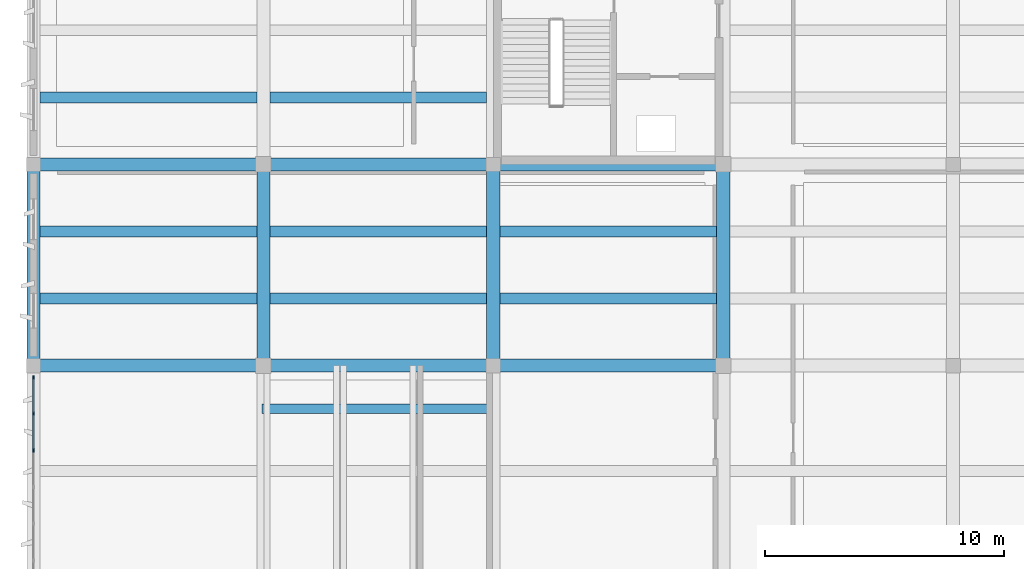
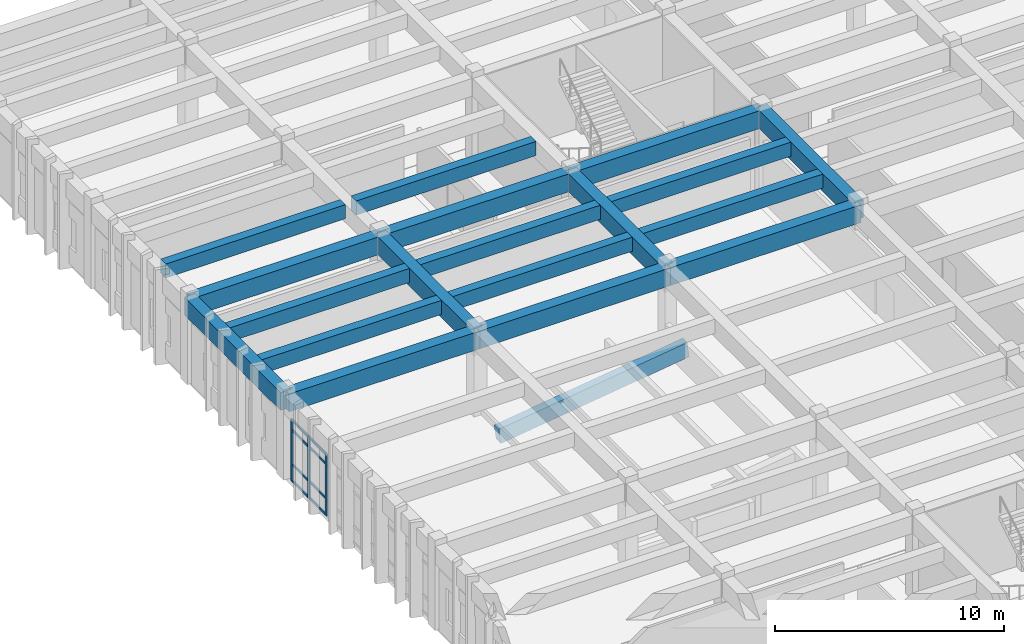
# One storey, part 7 of 86: 19 beams, 11 members, 1 element without a shape of its own.
"""IFC4 building model written with IfcOpenShell, lengths in metres."""

from ifc_helpers import new_model, si_unit, direction, frame, origin, origin_2d, place, context, subcontext, project, spatial, rectangle, extrude, material, layer, layer_set, material_profile, profile_set, type_object, element, aggregate, save


model = new_model("IFC4")

# Units and contexts
model_context = context("Model", 3, precision=1e-05, world=origin(), true_north=direction((0.0, 1.0)))
body_context = subcontext(model_context, "Body", "Model", "MODEL_VIEW")
ifc_project = project(units=[si_unit("LENGTHUNIT", "METRE"), si_unit("AREAUNIT", "SQUARE_METRE"), si_unit("VOLUMEUNIT", "CUBIC_METRE"), si_unit("PLANEANGLEUNIT", "RADIAN"), si_unit("MASSUNIT", "GRAM", prefix="KILO")], contexts=[model_context])

# Site, building, storey
site_placement = place(None, origin())
site = spatial("IfcSite", under=ifc_project, at=site_placement, CompositionType="ELEMENT")
building_placement = place(site_placement, origin())
building = spatial("IfcBuilding", under=site, at=building_placement, Name="Kolvemor Railside Polytechnic", CompositionType="ELEMENT")
storey_placement = place(building_placement, frame((0.0, 0.0, 5.39990234375)))
storey = spatial("IfcBuildingStorey", under=building, at=storey_placement, Name="L01", CompositionType="ELEMENT", Elevation=5.39990234375)

# Beams
ifc_material_1 = material(Name="Concrete C40/50", Category="concrete")
ifc_material_profile_1 = material_profile(ifc_material_1, rectangle(XDim=0.550048828125, YDim=0.949951171875, at=origin_2d()), Name="RC550x950")
ifc_profile_set_1 = profile_set([ifc_material_profile_1], Name="Concrete C40/50")
beam_type_1 = type_object("IfcBeamType", Name="BM-RC-GIRD", PredefinedType="BEAM", material=ifc_profile_set_1)
beam_1_placement = place(storey_placement, frame((0.0, 51.60009765625, 4.005126953125), z_axis=(1.0, 0.0, 0.0), x_axis=(0.0, 1.0, 0.0)))
element("IfcBeam", 1, at=beam_1_placement, inside=storey, type_object=beam_type_1, Name="Primary Girder L02-GX 0583", PredefinedType="BEAM", context=body_context, shape_type="SweptSolid", body=[
    extrude(rectangle(XDim=0.550048828125, YDim=0.949951171875, at=origin_2d()), origin(), (0.0, 0.0, 1.0), 9.60009765625),
])
beam_2_placement = place(storey_placement, frame((9.60009765625, 51.60009765625, 4.005126953125), z_axis=(1.0, 0.0, 0.0), x_axis=(0.0, 1.0, 0.0)))
element("IfcBeam", 2, at=beam_2_placement, inside=storey, type_object=beam_type_1, Name="Primary Girder L02-GX 0584", PredefinedType="BEAM", context=body_context, shape_type="SweptSolid", body=[
    extrude(rectangle(XDim=0.550048828125, YDim=0.949951171875, at=origin_2d()), origin(), (0.0, 0.0, 1.0), 9.599853515625),
])
for number, where, z_axis, x_axis, name in (
    (3, (19.199951171875, 51.60009765625, 4.005126953125), (1.0, 0.0, 0.0), (0.0, 1.0, 0.0), "Primary Girder L02-GX 0585"),
    (4, (0.0, 60.0, 4.005126953125), (1.0, 0.0, 0.0), (0.0, 1.0, 0.0), "Primary Girder L02-GX 0588"),
):
    element("IfcBeam", number, at=place(storey_placement, frame(where, z_axis=z_axis, x_axis=x_axis)), inside=storey, type_object=beam_type_1, Name=name, PredefinedType="BEAM", context=body_context, shape_type="SweptSolid", body=[
        extrude(rectangle(XDim=0.550048828125, YDim=0.949951171875, at=origin_2d()), origin(), (0.0, 0.0, 1.0), 9.60009765625),
    ])
beam_3_placement = place(storey_placement, frame((9.60009765625, 60.0, 4.005126953125), z_axis=(1.0, 0.0, 0.0), x_axis=(0.0, 1.0, 0.0)))
element("IfcBeam", 5, at=beam_3_placement, inside=storey, type_object=beam_type_1, Name="Primary Girder L02-GX 0589", PredefinedType="BEAM", context=body_context, shape_type="SweptSolid", body=[
    extrude(rectangle(XDim=0.550048828125, YDim=0.949951171875, at=origin_2d()), origin(), (0.0, 0.0, 1.0), 9.599853515625),
])
beam_4_placement = place(storey_placement, frame((19.199951171875, 60.0, 4.005126953125), z_axis=(1.0, 0.0, 0.0), x_axis=(0.0, 1.0, 0.0)))
element("IfcBeam", 6, at=beam_4_placement, inside=storey, type_object=beam_type_1, Name="Primary Girder L02-GX 0590", PredefinedType="BEAM", context=body_context, shape_type="SweptSolid", body=[
    extrude(rectangle(XDim=0.550048828125, YDim=0.949951171875, at=origin_2d()), origin(), (0.0, 0.0, 1.0), 9.60009765625),
])
for number, where, z_axis, x_axis, name in (
    (7, (0.0, 51.60009765625, 4.005126953125), (0.0, 1.0, 0.0), (-1.0, 0.0, 0.0), "Primary Girder L02-GY 0613"),
    (8, (9.60009765625, 51.60009765625, 4.005126953125), (0.0, 1.0, 0.0), (-1.0, 0.0, 0.0), "Primary Girder L02-GY 0622"),
    (9, (19.199951171875, 51.60009765625, 4.005126953125), (0.0, 1.0, 0.0), (-1.0, 0.0, 0.0), "Primary Girder L02-GY 0631"),
    (10, (28.800048828125, 51.60009765625, 4.005126953125), (0.0, 1.0, 0.0), (-1.0, 0.0, 0.0), "Primary Girder L02-GY 0640"),
):
    element("IfcBeam", number, at=place(storey_placement, frame(where, z_axis=z_axis, x_axis=x_axis)), inside=storey, type_object=beam_type_1, Name=name, PredefinedType="BEAM", context=body_context, shape_type="SweptSolid", body=[
        extrude(rectangle(XDim=0.550048828125, YDim=0.949951171875, at=origin_2d()), origin(), (0.0, 0.0, 1.0), 8.39990234375),
    ])
ifc_material_2 = material(Name="Concrete C40/50", Category="concrete")
ifc_material_profile_2 = material_profile(ifc_material_2, rectangle(XDim=0.39990234375, YDim=0.800048828125, at=origin_2d()), Name="RC400x800")
ifc_profile_set_2 = profile_set([ifc_material_profile_2], Name="Concrete C40/50")
beam_type_2 = type_object("IfcBeamType", Name="BM-RC-RAKER", PredefinedType="BEAM", material=ifc_profile_set_2)
beam_5_placement = place(storey_placement, frame((9.60009765625, 49.800048828125, -0.099853515625), z_axis=(0.990765911477, 0.0, 0.135583585491), x_axis=(0.0, 1.0, 0.0)))
element("IfcBeam", 11, at=beam_5_placement, inside=storey, type_object=beam_type_2, Name="Lecture Raker Beam RK-4-2", PredefinedType="BEAM", context=body_context, shape_type="SweptSolid", body=[
    extrude(rectangle(XDim=0.39990234375, YDim=0.800048828125, at=origin_2d()), origin(), (0.0, 0.0, 1.0), 9.588623046875),
])
ifc_material_3 = material(Name="Concrete C40/50", Category="concrete")
ifc_material_profile_3 = material_profile(ifc_material_3, rectangle(XDim=0.449951171875, YDim=0.75, at=origin_2d()), Name="RC450x750")
ifc_profile_set_3 = profile_set([ifc_material_profile_3], Name="Concrete C40/50")
beam_type_3 = type_object("IfcBeamType", Name="BM-RC-SEC", PredefinedType="JOIST", material=ifc_profile_set_3)
for number, where, z_axis, x_axis, name in (
    (12, (0.27490234375, 54.39990234375, 4.10498046875), (1.0, 0.0, 0.0), (0.0, 1.0, 0.0), "Floor Joist L02-J0672"),
    (13, (0.27490234375, 57.199951171875, 4.10498046875), (1.0, 0.0, 0.0), (0.0, 1.0, 0.0), "Floor Joist L02-J0673"),
    (14, (0.27490234375, 62.800048828125, 4.10498046875), (1.0, 0.0, 0.0), (0.0, 1.0, 0.0), "Floor Joist L02-J0674"),
    (15, (9.875, 54.39990234375, 4.10498046875), (1.0, 0.0, 0.0), (0.0, 1.0, 0.0), "Floor Joist L02-J0690"),
    (16, (9.875, 57.199951171875, 4.10498046875), (1.0, 0.0, 0.0), (0.0, 1.0, 0.0), "Floor Joist L02-J0691"),
    (17, (9.875, 62.800048828125, 4.10498046875), (1.0, 0.0, 0.0), (0.0, 1.0, 0.0), "Floor Joist L02-J0692"),
):
    element("IfcBeam", number, at=place(storey_placement, frame(where, z_axis=z_axis, x_axis=x_axis)), inside=storey, type_object=beam_type_3, Name=name, PredefinedType="JOIST", context=body_context, shape_type="SweptSolid", body=[
        extrude(rectangle(XDim=0.449951171875, YDim=0.75, at=origin_2d()), origin(), (0.0, 0.0, 1.0), 9.050048828125),
    ])
for number, where, z_axis, x_axis, name in (
    (18, (19.47509765625, 54.39990234375, 4.10498046875), (1.0, 0.0, 0.0), (0.0, 1.0, 0.0), "Floor Joist L02-J0706"),
    (19, (19.47509765625, 57.199951171875, 4.10498046875), (1.0, 0.0, 0.0), (0.0, 1.0, 0.0), "Floor Joist L02-J0707"),
):
    element("IfcBeam", number, at=place(storey_placement, frame(where, z_axis=z_axis, x_axis=x_axis)), inside=storey, type_object=beam_type_3, Name=name, PredefinedType="JOIST", context=body_context, shape_type="SweptSolid", body=[
        extrude(rectangle(XDim=0.449951171875, YDim=0.75, at=origin_2d()), origin(), (0.0, 0.0, 1.0), 9.0498046875),
    ])

# Curtain wall, members
ifc_material_4 = material(Name="Anodised marine aluminium and laminated low-E glass", Category="aluminium")
ifc_layer = layer(ifc_material_4, 0.179931640625, Name="CW-UNIT-STD")
ifc_layer_set = layer_set([ifc_layer], Name="Anodised marine aluminium and laminated low-E glass")
curtain_wall_type = type_object("IfcCurtainWallType", Name="CW-UNIT-STD", PredefinedType="USERDEFINED", material=ifc_layer_set)
curtain_wall_placement = place(storey_placement, origin())
curtain_wall = element("IfcCurtainWall", 20, at=curtain_wall_placement, inside=storey, type_object=curtain_wall_type, Name="Curtain Wall L01-053", ObjectType="UNITISED CURTAIN WALL", PredefinedType="USERDEFINED")
ifc_material_5 = material(Name="Anodised marine aluminium 6063-T6", Category="aluminium")
ifc_material_profile_4 = material_profile(ifc_material_5, rectangle(XDim=0.06494140625, YDim=0.14990234375, at=origin_2d()), Name="CW-MUL-65x150")
ifc_profile_set_4 = profile_set([ifc_material_profile_4], Name="Anodised marine aluminium 6063-T6")
member_type_1 = type_object("IfcMemberType", Name="CWM-65x150", PredefinedType="MULLION", material=ifc_profile_set_4)
member_1_placement = place(storey_placement, frame((0.0, 51.097412109375, 0.0), z_axis=(0.0, 0.0, 1.0), x_axis=(1.0, 0.0, 0.0)))
member_1 = element("IfcMember", 21, at=member_1_placement, type_object=member_type_1, Name="CW-STD mullion 1", PredefinedType="MULLION", context=body_context, shape_type="SweptSolid", body=[
    extrude(rectangle(XDim=0.06494140625, YDim=0.14990234375, at=origin_2d()), origin(), (0.0, 0.0, 1.0), 3.280029296875),
])
member_2_placement = place(storey_placement, frame((0.0, 49.597412109375, 0.0), z_axis=(0.0, 0.0, 1.0), x_axis=(1.0, 0.0, 0.0)))
member_2 = element("IfcMember", 22, at=member_2_placement, type_object=member_type_1, Name="CW-STD mullion 2", PredefinedType="MULLION", context=body_context, shape_type="SweptSolid", body=[
    extrude(rectangle(XDim=0.06494140625, YDim=0.14990234375, at=origin_2d()), origin(), (0.0, 0.0, 1.0), 3.280029296875),
])
member_3_placement = place(storey_placement, frame((0.0, 48.06494140625, 0.0), z_axis=(0.0, 0.0, 1.0), x_axis=(1.0, 0.0, 0.0)))
member_3 = element("IfcMember", 23, at=member_3_placement, type_object=member_type_1, Name="CW-STD mullion 3", PredefinedType="MULLION", context=body_context, shape_type="SweptSolid", body=[
    extrude(rectangle(XDim=0.06494140625, YDim=0.14990234375, at=origin_2d()), origin(), (0.0, 0.0, 1.0), 3.280029296875),
])
ifc_material_6 = material(Name="Anodised marine aluminium 6063-T6", Category="aluminium")
ifc_material_profile_5 = material_profile(ifc_material_6, rectangle(XDim=0.06494140625, YDim=0.1201171875, at=origin_2d()), Name="CW-TRN-65x120")
ifc_profile_set_5 = profile_set([ifc_material_profile_5], Name="Anodised marine aluminium 6063-T6")
member_type_2 = type_object("IfcMemberType", Name="CWT-65x120", PredefinedType="USERDEFINED", material=ifc_profile_set_5)
member_4_placement = place(storey_placement, frame((0.0, 51.06494140625, 0.03271484375), z_axis=(0.0, -1.0, 0.0), x_axis=(1.0, 0.0, 0.0)))
member_4 = element("IfcMember", 24, at=member_4_placement, type_object=member_type_2, Name="CW-STD transom 1.1", ObjectType="TRANSOM", PredefinedType="USERDEFINED", context=body_context, shape_type="SweptSolid", body=[
    extrude(rectangle(XDim=0.06494140625, YDim=0.1201171875, at=origin_2d()), origin(), (0.0, 0.0, 1.0), 1.43505859375),
])
member_5_placement = place(storey_placement, frame((0.0, 51.06494140625, 0.900146484375), z_axis=(0.0, -1.0, 0.0), x_axis=(1.0, 0.0, 0.0)))
member_5 = element("IfcMember", 25, at=member_5_placement, type_object=member_type_2, Name="CW-STD transom 1.2", ObjectType="TRANSOM", PredefinedType="USERDEFINED", context=body_context, shape_type="SweptSolid", body=[
    extrude(rectangle(XDim=0.06494140625, YDim=0.1201171875, at=origin_2d()), origin(), (0.0, 0.0, 1.0), 1.43505859375),
])
member_6_placement = place(storey_placement, frame((0.0, 51.06494140625, 2.72998046875), z_axis=(0.0, -1.0, 0.0), x_axis=(1.0, 0.0, 0.0)))
member_6 = element("IfcMember", 26, at=member_6_placement, type_object=member_type_2, Name="CW-STD transom 1.3", ObjectType="TRANSOM", PredefinedType="USERDEFINED", context=body_context, shape_type="SweptSolid", body=[
    extrude(rectangle(XDim=0.06494140625, YDim=0.1201171875, at=origin_2d()), origin(), (0.0, 0.0, 1.0), 1.43505859375),
])
member_7_placement = place(storey_placement, frame((0.0, 51.06494140625, 3.24755859375), z_axis=(0.0, -1.0, 0.0), x_axis=(1.0, 0.0, 0.0)))
member_7 = element("IfcMember", 27, at=member_7_placement, type_object=member_type_2, Name="CW-STD transom 1.4", ObjectType="TRANSOM", PredefinedType="USERDEFINED", context=body_context, shape_type="SweptSolid", body=[
    extrude(rectangle(XDim=0.06494140625, YDim=0.1201171875, at=origin_2d()), origin(), (0.0, 0.0, 1.0), 1.43505859375),
])
member_8_placement = place(storey_placement, frame((0.0, 49.56494140625, 0.03271484375), z_axis=(0.0, -1.0, 0.0), x_axis=(1.0, 0.0, 0.0)))
member_8 = element("IfcMember", 28, at=member_8_placement, type_object=member_type_2, Name="CW-STD transom 2.1", ObjectType="TRANSOM", PredefinedType="USERDEFINED", context=body_context, shape_type="SweptSolid", body=[
    extrude(rectangle(XDim=0.06494140625, YDim=0.1201171875, at=origin_2d()), origin(), (0.0, 0.0, 1.0), 1.467529296875),
])
member_9_placement = place(storey_placement, frame((0.0, 49.56494140625, 0.900146484375), z_axis=(0.0, -1.0, 0.0), x_axis=(1.0, 0.0, 0.0)))
member_9 = element("IfcMember", 29, at=member_9_placement, type_object=member_type_2, Name="CW-STD transom 2.2", ObjectType="TRANSOM", PredefinedType="USERDEFINED", context=body_context, shape_type="SweptSolid", body=[
    extrude(rectangle(XDim=0.06494140625, YDim=0.1201171875, at=origin_2d()), origin(), (0.0, 0.0, 1.0), 1.467529296875),
])
member_10_placement = place(storey_placement, frame((0.0, 49.56494140625, 2.72998046875), z_axis=(0.0, -1.0, 0.0), x_axis=(1.0, 0.0, 0.0)))
member_10 = element("IfcMember", 30, at=member_10_placement, type_object=member_type_2, Name="CW-STD transom 2.3", ObjectType="TRANSOM", PredefinedType="USERDEFINED", context=body_context, shape_type="SweptSolid", body=[
    extrude(rectangle(XDim=0.06494140625, YDim=0.1201171875, at=origin_2d()), origin(), (0.0, 0.0, 1.0), 1.467529296875),
])
member_11_placement = place(storey_placement, frame((0.0, 49.56494140625, 3.24755859375), z_axis=(0.0, -1.0, 0.0), x_axis=(1.0, 0.0, 0.0)))
member_11 = element("IfcMember", 31, at=member_11_placement, type_object=member_type_2, Name="CW-STD transom 2.4", ObjectType="TRANSOM", PredefinedType="USERDEFINED", context=body_context, shape_type="SweptSolid", body=[
    extrude(rectangle(XDim=0.06494140625, YDim=0.1201171875, at=origin_2d()), origin(), (0.0, 0.0, 1.0), 1.467529296875),
])
aggregate(curtain_wall, [member_1, member_2, member_3, member_4, member_5, member_6, member_7, member_8, member_9, member_10, member_11])

save(model, "model.ifc")
